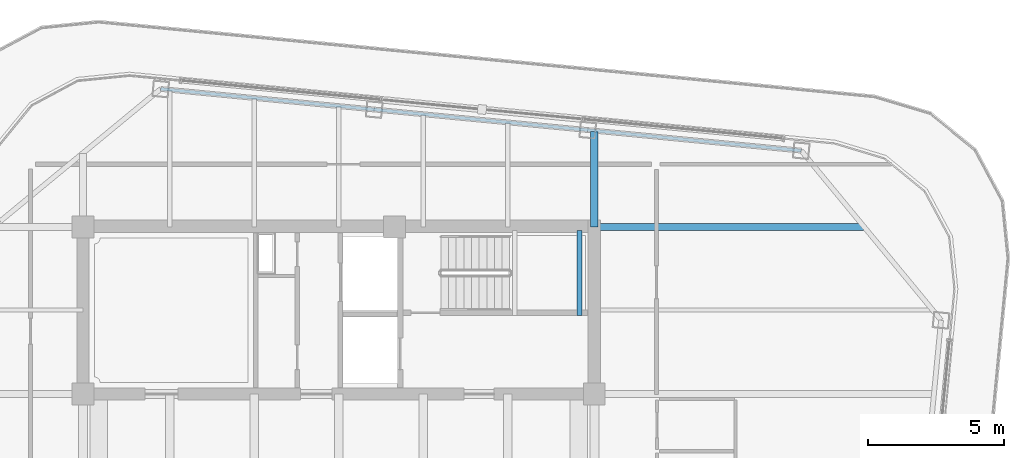
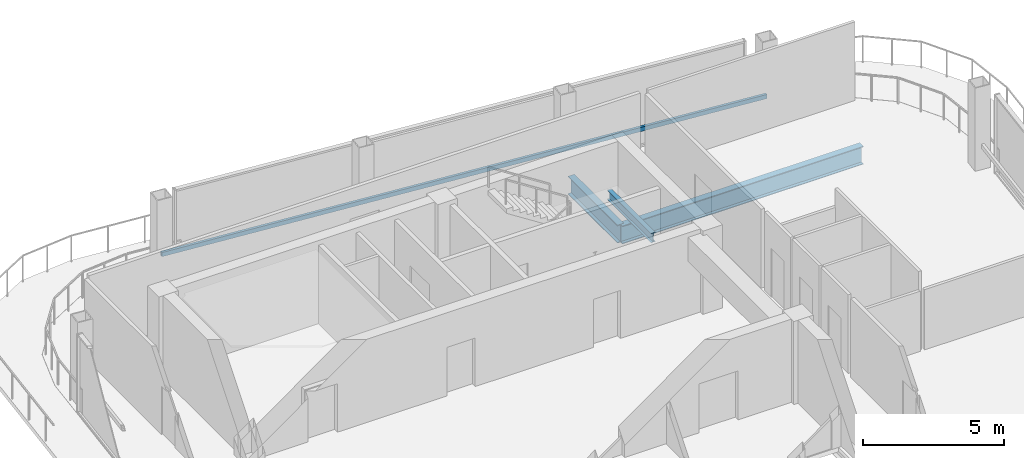
# One storey, part 14 of 23: 3 beams, 1 member.
"""IFC4 building model written with IfcOpenShell, lengths in metres."""

from ifc_helpers import new_model, si_unit, direction, frame, origin, origin_2d, place, context, subcontext, project, spatial, hollow_rectangle, i_section, extrude, material, material_profile, profile_set, type_object, element, save


model = new_model("IFC4")

# Units and contexts
model_context = context("Model", 3, precision=1e-05, world=origin(), true_north=direction((0.0, 1.0)))
body_context = subcontext(model_context, "Body", "Model", "MODEL_VIEW")
ifc_project = project(units=[si_unit("LENGTHUNIT", "METRE"), si_unit("AREAUNIT", "SQUARE_METRE"), si_unit("VOLUMEUNIT", "CUBIC_METRE"), si_unit("PLANEANGLEUNIT", "RADIAN"), si_unit("MASSUNIT", "GRAM", prefix="KILO")], contexts=[model_context])

# Site, building, storey
site_placement = place(None, origin())
site = spatial("IfcSite", under=ifc_project, at=site_placement, CompositionType="ELEMENT")
building_placement = place(site_placement, origin())
building = spatial("IfcBuilding", under=site, at=building_placement, Name="Qhalaya Broadcast Tower", CompositionType="ELEMENT")
storey_placement = place(building_placement, frame((0.0, 0.0, 276.949951171875)))
storey = spatial("IfcBuildingStorey", under=building, at=storey_placement, Name="L82", CompositionType="ELEMENT", Elevation=276.949951171875)

# Member
ifc_material_1 = material(Name="Fired Architectural Terracotta", Category="masonry")
ifc_material_profile_1 = material_profile(ifc_material_1, hollow_rectangle(XDim=0.110107421875, YDim=0.179931640625, WallThickness=0.01806640625, at=origin_2d()), Name="TB-BAG 110x180x18")
ifc_profile_set_1 = profile_set([ifc_material_profile_1], Name="Fired Architectural Terracotta")
member_type = type_object("IfcMemberType", Name="Fired Terracotta Facade Baguette Member TB1", PredefinedType="USERDEFINED", material=ifc_profile_set_1)
member_placement = place(storey_placement, frame((16.962890625, 12.74853515625, 1.02294921875), z_axis=(-0.995396131468, 0.095846447288, 0.0), x_axis=(-0.095846447288, -0.995396131468, 0.0)))
element("IfcMember", 1, at=member_placement, inside=storey, type_object=member_type, Name="L82 Terracotta Baguette Feature Rail N", ObjectType="BAGUETTE", PredefinedType="USERDEFINED", context=body_context, shape_type="SweptSolid", body=[
    extrude(hollow_rectangle(XDim=0.110107421875, YDim=0.179931640625, WallThickness=0.01806640625, at=origin_2d()), origin(), (0.0, 0.0, 1.0), 23.599853515625),
])

# Beams
ifc_material_2 = material(Name="Structural Steel ASTM A992 Grade 50", Category="steel")
ifc_material_profile_2 = material_profile(ifc_material_2, i_section(OverallWidth=0.26708984375, OverallDepth=0.780029296875, WebThickness=0.0166015625, FlangeThickness=0.030029296875, at=origin_2d()), Name="W30X148")
ifc_profile_set_2 = profile_set([ifc_material_profile_2], Name="Structural Steel ASTM A992 Grade 50")
beam_type_1 = type_object("IfcBeamType", Name="Neck & Crown Primary Girder PG5", PredefinedType="USERDEFINED", material=ifc_profile_set_2)
beam_1_placement = place(storey_placement, frame((9.375, 9.949951171875, -0.579833984375), z_axis=(0.0, 1.0, 0.0), x_axis=(-1.0, 0.0, 0.0)))
element("IfcBeam", 2, at=beam_1_placement, inside=storey, type_object=beam_type_1, Name="L82 PG5 L82-PGXN2-1", ObjectType="GIRDER", PredefinedType="USERDEFINED", context=body_context, shape_type="SweptSolid", body=[
    extrude(i_section(OverallWidth=0.26708984375, OverallDepth=0.780029296875, WebThickness=0.0166015625, FlangeThickness=0.030029296875, at=origin_2d()), origin(), (0.0, 0.0, 1.0), 3.509033203125),
])
beam_2_placement = place(storey_placement, frame((9.375, 9.949951171875, -0.579833984375), z_axis=(1.0, 0.0, 0.0), x_axis=(0.0, 1.0, 0.0)))
element("IfcBeam", 3, at=beam_2_placement, inside=storey, type_object=beam_type_1, Name="L82 PG5 L82-PGYE4-1", ObjectType="GIRDER", PredefinedType="USERDEFINED", context=body_context, shape_type="SweptSolid", body=[
    extrude(i_section(OverallWidth=0.26708984375, OverallDepth=0.780029296875, WebThickness=0.0166015625, FlangeThickness=0.030029296875, at=origin_2d()), origin(), (0.0, 0.0, 1.0), 9.868896484375),
])
ifc_material_profile_3 = material_profile(ifc_material_2, i_section(OverallWidth=0.177978515625, OverallDepth=0.406005859375, WebThickness=0.0078125, FlangeThickness=0.0126953125, at=origin_2d()), Name="W16X40")
ifc_profile_set_3 = profile_set([ifc_material_profile_3], Name="Structural Steel ASTM A992 Grade 50")
beam_type_2 = type_object("IfcBeamType", Name="Upper Perimeter Spandrel Beam SP2", PredefinedType="SPANDREL", material=ifc_profile_set_3)
beam_3_placement = place(storey_placement, frame((8.830078125, 6.699951171875, 1.39697265625), z_axis=(0.0, 1.0, 0.0), x_axis=(-1.0, 0.0, 0.0)))
element("IfcBeam", 4, at=beam_3_placement, inside=storey, type_object=beam_type_2, Name="L82 ST-1 Half-Landing Bearer Beam 2", PredefinedType="SPANDREL", context=body_context, shape_type="SweptSolid", body=[
    extrude(i_section(OverallWidth=0.177978515625, OverallDepth=0.406005859375, WebThickness=0.0078125, FlangeThickness=0.0126953125, at=origin_2d()), origin(), (0.0, 0.0, 1.0), 3.1201171875),
])

save(model, "model.ifc")
